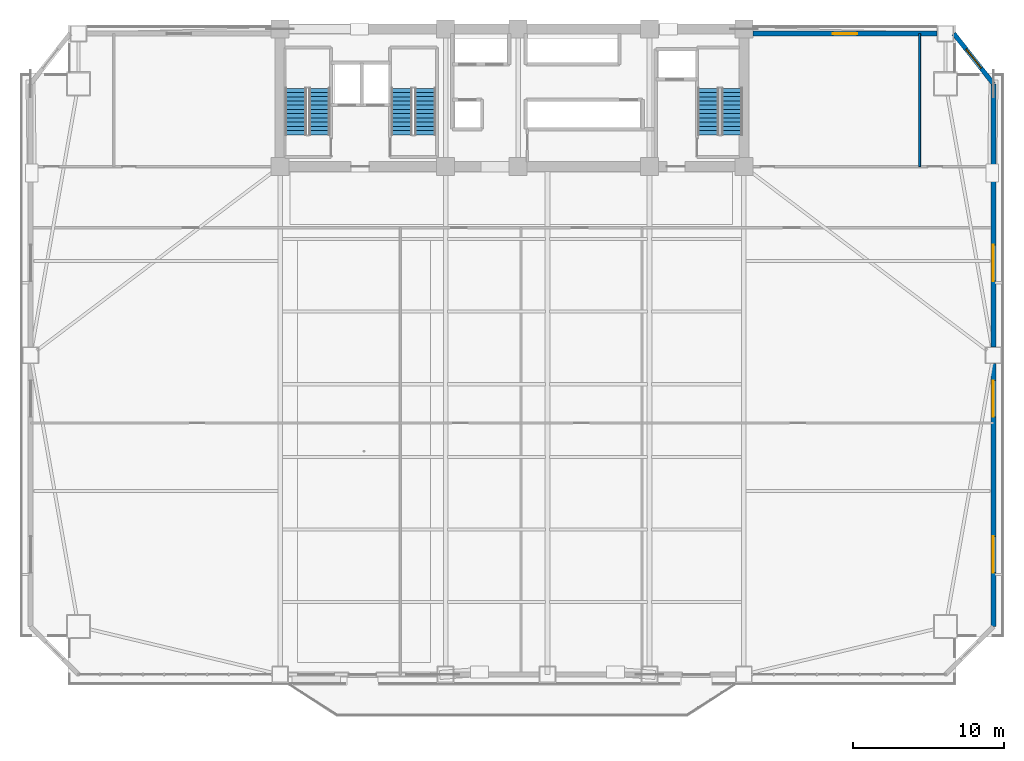
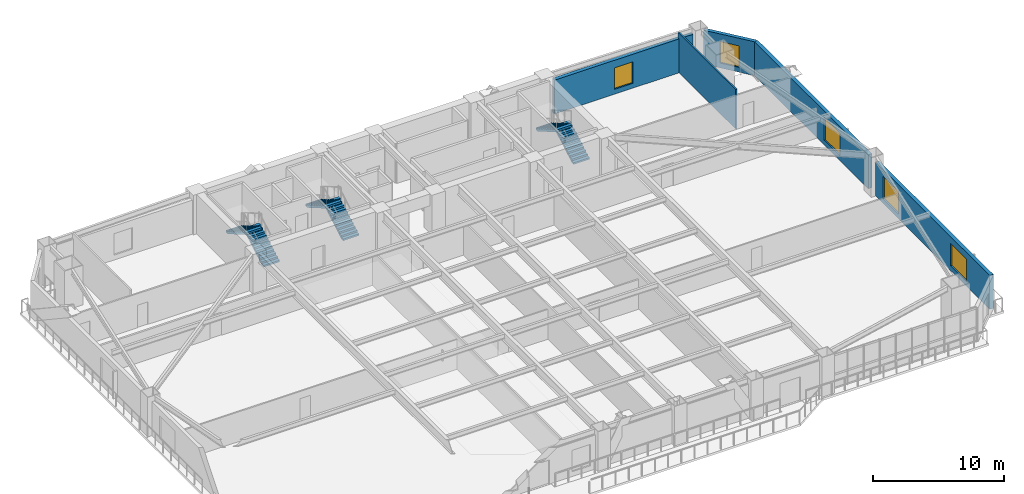
# One storey, part 11 of 17: 6 stair flights, 5 walls, 5 windows, 5 openings, 3 elements without a shape of their own.
"""IFC4 building model written with IfcOpenShell, lengths in metres."""

from ifc_helpers import new_model, si_unit, direction, frame, frame_2d, origin, place, context, subcontext, project, spatial, polyline, rectangle, outline, extrude, source, transform, mapped, material, layer, layer_set, type_object, element, fill, aggregate, save


model = new_model("IFC4")

# Units and contexts
model_context = context("Model", 3, precision=1e-05, world=origin(), true_north=direction((0.0, 1.0)))
body_context = subcontext(model_context, "Body", "Model", "MODEL_VIEW")
ifc_project = project(units=[si_unit("LENGTHUNIT", "METRE"), si_unit("AREAUNIT", "SQUARE_METRE"), si_unit("VOLUMEUNIT", "CUBIC_METRE"), si_unit("PLANEANGLEUNIT", "RADIAN"), si_unit("MASSUNIT", "GRAM", prefix="KILO")], contexts=[model_context])

# Site, building, storey
site_placement = place(None, origin())
site = spatial("IfcSite", under=ifc_project, at=site_placement, CompositionType="ELEMENT")
building_placement = place(site_placement, origin())
building = spatial("IfcBuilding", under=site, at=building_placement, Name="Giltprow Tower", CompositionType="ELEMENT")
storey_placement = place(building_placement, frame((0.0, 0.0, 37.10009765625)))
storey = spatial("IfcBuildingStorey", under=building, at=storey_placement, Name="L09", CompositionType="ELEMENT", Elevation=37.10009765625)

# Wall, opening, window
ifc_material_1 = material(Name="Precast concrete C40", Category="concrete")
ifc_layer_1 = layer(ifc_material_1, 0.300048828125, Name="Precast concrete C40")
ifc_layer_set_1 = layer_set([ifc_layer_1], Name="Precast concrete C40")
wall_type_1 = type_object("IfcWallType", Name="EW-NOTCH-CHAMFER-300", PredefinedType="SOLIDWALL", material=ifc_layer_set_1)
wall_1_placement = place(storey_placement, frame((67.06494140625, 42.926025390625, 0.0), z_axis=(0.0, 0.0, 1.0), x_axis=(-0.619619988795, 0.784901948963, 0.0)))
wall_1 = element("IfcWall", 1, at=wall_1_placement, inside=storey, type_object=wall_type_1, Name="L09 Corner Notch Wall NE", PredefinedType="SOLIDWALL", context=body_context, shape_type="SweptSolid", body=[
    extrude(rectangle(XDim=4.23486328125, YDim=0.300048828125, at=frame_2d((2.117431640625, 0.0))), origin(), (0.0, 0.0, 1.0), 3.159912109375),
])
opening_1_placement = place(wall_1_placement, frame((1.31689453125, 0.0, 0.449951171875)))
opening_1 = element("IfcOpeningElement", 2, at=opening_1_placement, cuts=wall_1, Name="Opening WN17", PredefinedType="OPENING", context=body_context, shape_type="SweptSolid", body=[
    extrude(rectangle(XDim=1.60009765625, YDim=2.0, at=frame_2d((0.800048828125, 1.0))), frame((0.0, 0.159912109375, 0.0), z_axis=(0.0, -1.0, 0.0), x_axis=(1.0, 0.0, 0.0)), (0.0, 0.0, 1.0), 0.320068359375),
])
ifc_material_2 = material(Name="Insulated glass", Category="glass")
window_type_1 = type_object("IfcWindowType", Name="WN-COR-1600x2000", PartitioningType="SINGLE_PANEL", PredefinedType="WINDOW", material=ifc_material_2)
shared_shape_1 = source(origin(), body_context, "Body", "SweptSolid", [
    extrude(rectangle(XDim=1.60009765625, YDim=2.0, at=frame_2d((0.800048828125, 1.0))), frame((0.0, 0.030029296875, 0.0), z_axis=(0.0, -1.0, 0.0), x_axis=(1.0, 0.0, 0.0)), (0.0, 0.0, 1.0), 0.06005859375),
])
window_1_placement = place(opening_1_placement, origin())
window_1 = element("IfcWindow", 3, at=window_1_placement, inside=storey, type_object=window_type_1, Name="L09 Corner Notch Window NE", OverallHeight=2.0, OverallWidth=1.60009765625, PartitioningType="SINGLE_PANEL", PredefinedType="WINDOW", context=body_context, shape_type="MappedRepresentation", body=[
    mapped(shared_shape_1, transform((0.0, 0.0, 0.0), x_axis=(1.0, 0.0, 0.0), y_axis=(0.0, 1.0, 0.0), z_axis=(0.0, 0.0, 1.0), scale=1.0)),
])
fill(opening_1, window_1)

# Wall, openings, windows
ifc_layer_2 = layer(ifc_material_1, 0.320068359375, Name="Precast concrete C40")
ifc_layer_set_2 = layer_set([ifc_layer_2], Name="Precast concrete C40")
wall_type_2 = type_object("IfcWallType", Name="EW-TOW-STONE-320", PredefinedType="SOLIDWALL", material=ifc_layer_set_2)
wall_2_placement = place(storey_placement, frame((67.06494140625, 7.0009765625, 0.0), z_axis=(0.0, 0.0, 1.0), x_axis=(0.0, 1.0, 0.0)))
wall_2 = element("IfcWall", 4, at=wall_2_placement, inside=storey, type_object=wall_type_2, Name="L09 E Wing Masonry Wall 1", PredefinedType="SOLIDWALL", context=body_context, shape_type="SweptSolid", body=[
    extrude(rectangle(XDim=17.412109375, YDim=0.320068359375, at=frame_2d((8.7060546875, 0.0))), origin(), (0.0, 0.0, 1.0), 3.159912109375),
])
opening_2_placement = place(wall_2_placement, frame((3.56689453125, 0.0, 0.449951171875)))
opening_2 = element("IfcOpeningElement", 5, at=opening_2_placement, cuts=wall_2, Name="Opening WN29", PredefinedType="OPENING", context=body_context, shape_type="SweptSolid", body=[
    extrude(rectangle(XDim=2.39990234375, YDim=2.10009765625, at=frame_2d((1.199951171875, 1.050048828125))), frame((0.0, 0.169921875, 0.0), z_axis=(0.0, -1.0, 0.0), x_axis=(1.0, 0.0, 0.0)), (0.0, 0.0, 1.0), 0.340087890625),
])
opening_3_placement = place(wall_2_placement, frame((13.875, 0.0, 0.449951171875)))
opening_3 = element("IfcOpeningElement", 6, at=opening_3_placement, cuts=wall_2, Name="Opening WN29", PredefinedType="OPENING", context=body_context, shape_type="SweptSolid", body=[
    extrude(rectangle(XDim=2.39990234375, YDim=2.10009765625, at=frame_2d((1.199951171875, 1.050048828125))), frame((0.0, 0.169921875, 0.0), z_axis=(0.0, -1.0, 0.0), x_axis=(1.0, 0.0, 0.0)), (0.0, 0.0, 1.0), 0.340087890625),
])
window_type_2 = type_object("IfcWindowType", Name="WN-OFF-2400x2100", PartitioningType="DOUBLE_PANEL_VERTICAL", PredefinedType="WINDOW", material=ifc_material_2)
shared_shape_2 = source(origin(), body_context, "Body", "SweptSolid", [
    extrude(rectangle(XDim=2.39990234375, YDim=2.10009765625, at=frame_2d((1.199951171875, 1.050048828125))), frame((0.0, 0.030029296875, 0.0), z_axis=(0.0, -1.0, 0.0), x_axis=(1.0, 0.0, 0.0)), (0.0, 0.0, 1.0), 0.06005859375),
])
window_2_placement = place(opening_2_placement, origin())
window_2 = element("IfcWindow", 7, at=window_2_placement, inside=storey, type_object=window_type_2, Name="L09 E Wing Window 1-1A", OverallHeight=2.10009765625, OverallWidth=2.39990234375, PartitioningType="SINGLE_PANEL", PredefinedType="WINDOW", context=body_context, shape_type="MappedRepresentation", body=[
    mapped(shared_shape_2, transform((0.0, 0.0, 0.0), x_axis=(1.0, 0.0, 0.0), y_axis=(0.0, 1.0, 0.0), z_axis=(0.0, 0.0, 1.0), scale=1.0)),
])
fill(opening_2, window_2)
window_3_placement = place(opening_3_placement, origin())
window_3 = element("IfcWindow", 8, at=window_3_placement, inside=storey, type_object=window_type_2, Name="L09 E Wing Window 1-1B", OverallHeight=2.10009765625, OverallWidth=2.39990234375, PartitioningType="SINGLE_PANEL", PredefinedType="WINDOW", context=body_context, shape_type="MappedRepresentation", body=[
    mapped(shared_shape_2, transform((0.0, 0.0, 0.0), x_axis=(1.0, 0.0, 0.0), y_axis=(0.0, 1.0, 0.0), z_axis=(0.0, 0.0, 1.0), scale=1.0)),
])
fill(opening_3, window_3)

# Wall, opening, window
wall_3_placement = place(storey_placement, frame((67.06494140625, 25.512939453125, 0.0), z_axis=(0.0, 0.0, 1.0), x_axis=(0.0, 1.0, 0.0)))
wall_3 = element("IfcWall", 9, at=wall_3_placement, inside=storey, type_object=wall_type_2, Name="L09 E Wing Masonry Wall 2", PredefinedType="SOLIDWALL", context=body_context, shape_type="SweptSolid", body=[
    extrude(rectangle(XDim=17.4130859375, YDim=0.320068359375, at=frame_2d((8.70654296875, 0.0))), origin(), (0.0, 0.0, 1.0), 3.159912109375),
])
opening_4_placement = place(wall_3_placement, frame((4.35595703125, 0.0, 0.449951171875)))
opening_4 = element("IfcOpeningElement", 10, at=opening_4_placement, cuts=wall_3, Name="Opening WN29", PredefinedType="OPENING", context=body_context, shape_type="SweptSolid", body=[
    extrude(rectangle(XDim=2.39990234375, YDim=2.10009765625, at=frame_2d((1.199951171875, 1.050048828125))), frame((0.0, 0.169921875, 0.0), z_axis=(0.0, -1.0, 0.0), x_axis=(1.0, 0.0, 0.0)), (0.0, 0.0, 1.0), 0.340087890625),
])
window_4_placement = place(opening_4_placement, origin())
window_4 = element("IfcWindow", 11, at=window_4_placement, inside=storey, type_object=window_type_2, Name="L09 E Wing Window 2-1", OverallHeight=2.10009765625, OverallWidth=2.39990234375, PartitioningType="SINGLE_PANEL", PredefinedType="WINDOW", context=body_context, shape_type="MappedRepresentation", body=[
    mapped(shared_shape_2, transform((0.0, 0.0, 0.0), x_axis=(1.0, 0.0, 0.0), y_axis=(0.0, 1.0, 0.0), z_axis=(0.0, 0.0, 1.0), scale=1.0)),
])
fill(opening_4, window_4)

wall_4_placement = place(storey_placement, frame((51.14990234375, 46.25, 0.0), z_axis=(0.0, 0.0, 1.0), x_axis=(1.0, 0.0, 0.0)))
wall_4 = element("IfcWall", 12, at=wall_4_placement, inside=storey, type_object=wall_type_2, Name="L09 North-East Wing Wall", PredefinedType="SOLIDWALL", context=body_context, shape_type="SweptSolid", body=[
    extrude(rectangle(XDim=12.191162109375, YDim=0.320068359375, at=frame_2d((6.095703125, 0.0))), origin(), (0.0, 0.0, 1.0), 3.159912109375),
])
opening_5_placement = place(wall_4_placement, frame((5.2958984375, 0.0, 0.449951171875)))
opening_5 = element("IfcOpeningElement", 13, at=opening_5_placement, cuts=wall_4, Name="Opening WN17", PredefinedType="OPENING", context=body_context, shape_type="SweptSolid", body=[
    extrude(rectangle(XDim=1.60009765625, YDim=2.0, at=frame_2d((0.800048828125, 1.0))), frame((0.0, 0.169921875, 0.0), z_axis=(0.0, -1.0, 0.0), x_axis=(1.0, 0.0, 0.0)), (0.0, 0.0, 1.0), 0.340087890625),
])
window_5_placement = place(opening_5_placement, origin())
window_5 = element("IfcWindow", 14, at=window_5_placement, inside=storey, type_object=window_type_1, Name="L09 North-East Window", OverallHeight=2.0, OverallWidth=1.60009765625, PartitioningType="SINGLE_PANEL", PredefinedType="WINDOW", context=body_context, shape_type="MappedRepresentation", body=[
    mapped(shared_shape_1, transform((0.0, 0.0, 0.0), x_axis=(1.0, 0.0, 0.0), y_axis=(0.0, 1.0, 0.0), z_axis=(0.0, 0.0, 1.0), scale=1.0)),
])
fill(opening_5, window_5)

# Wall
ifc_material_3 = material(Name="Concrete C30", Category="concrete")
ifc_layer_3 = layer(ifc_material_3, 0.1298828125, Name="Concrete C30")
ifc_layer_set_3 = layer_set([ifc_layer_3], Name="Concrete C30")
wall_type_3 = type_object("IfcWallType", Name="IW-WET-130", PredefinedType="PARTITIONING", material=ifc_layer_set_3)
wall_5_placement = place(storey_placement, frame((62.179931640625, 37.449951171875, 0.0), z_axis=(0.0, 0.0, 1.0), x_axis=(0.0, 1.0, 0.0)))
element("IfcWall", 15, at=wall_5_placement, inside=storey, type_object=wall_type_3, Name="L09 NE Wing Divider", PredefinedType="PARTITIONING", context=body_context, shape_type="SweptSolid", body=[
    extrude(rectangle(XDim=8.800048828125, YDim=0.1298828125, at=frame_2d((4.39990234375, 0.0))), origin(), (0.0, 0.0, 1.0), 3.679931640625),
])

# Stair, stair flights
ifc_material_4 = material(Name="Concrete C40", Category="concrete")
stair_type_1 = type_object("IfcStairType", Name="STR-ST-1", PredefinedType="HALF_TURN_STAIR", material=ifc_material_4)
stair_1_placement = place(storey_placement, origin())
stair_1 = element("IfcStair", 16, at=stair_1_placement, inside=storey, type_object=stair_type_1, Name="L09 Core Exit Stair ST-1", PredefinedType="HALF_TURN_STAIR")
stair_flight_type_1 = type_object("IfcStairFlightType", Name="SFL-ST-1", PredefinedType="STRAIGHT", material=ifc_material_4)
stair_flight_1_placement = place(storey_placement, frame((22.4599609375, 39.550048828125, 0.0), z_axis=(0.0, 0.0, 1.0), x_axis=(0.0, 1.0, 0.0)))
stair_flight_1 = element("IfcStairFlight", 17, at=stair_flight_1_placement, type_object=stair_flight_type_1, Name="ST-1 flight 1", NumberOfRisers=12, NumberOfTreads=11, PredefinedType="STRAIGHT", RiserHeight=0.1625, TreadLength=0.28, context=body_context, shape_type="SweptSolid", body=[
    extrude(outline(polyline([(0.0, 0.0), (0.0, 0.16259765625), (0.280029296875, 0.16259765625), (0.280029296875, 0.324951171875), (0.56005859375, 0.324951171875), (0.56005859375, 0.487548828125), (0.840087890625, 0.487548828125), (0.840087890625, 0.64990234375), (1.1201171875, 0.64990234375), (1.1201171875, 0.8125), (1.39990234375, 0.8125), (1.39990234375, 0.97509765625), (1.679931640625, 0.97509765625), (1.679931640625, 1.137451171875), (1.9599609375, 1.137451171875), (1.9599609375, 1.300048828125), (2.239990234375, 1.300048828125), (2.239990234375, 1.46240234375), (2.52001953125, 1.46240234375), (2.52001953125, 1.625), (2.800048828125, 1.625), (2.800048828125, 1.78759765625), (3.080078125, 1.78759765625), (3.080078125, 1.949951171875), (3.080078125, 1.6142578125), (0.298583984375, 0.0), (0.0, 0.0)])), frame((0.0, 0.699951171875, 0.0), z_axis=(0.0, -1.0, 0.0), x_axis=(1.0, 0.0, 0.0)), (0.0, 0.0, 1.0), 1.39990234375),
])
stair_flight_2_placement = place(storey_placement, frame((20.89990234375, 42.6298828125, 1.949951171875), z_axis=(0.0, 0.0, 1.0), x_axis=(0.0, -1.0, 0.0)))
stair_flight_2 = element("IfcStairFlight", 18, at=stair_flight_2_placement, type_object=stair_flight_type_1, Name="ST-1 flight 2", NumberOfRisers=12, NumberOfTreads=11, PredefinedType="STRAIGHT", RiserHeight=0.1625, TreadLength=0.28, context=body_context, shape_type="SweptSolid", body=[
    extrude(outline(polyline([(0.0, 0.0), (0.0, 0.16259765625), (0.280029296875, 0.16259765625), (0.280029296875, 0.324951171875), (0.56005859375, 0.324951171875), (0.56005859375, 0.487548828125), (0.840087890625, 0.487548828125), (0.840087890625, 0.64990234375), (1.1201171875, 0.64990234375), (1.1201171875, 0.8125), (1.39990234375, 0.8125), (1.39990234375, 0.97509765625), (1.679931640625, 0.97509765625), (1.679931640625, 1.137451171875), (1.9599609375, 1.137451171875), (1.9599609375, 1.300048828125), (2.239990234375, 1.300048828125), (2.239990234375, 1.46240234375), (2.52001953125, 1.46240234375), (2.52001953125, 1.625), (2.800048828125, 1.625), (2.800048828125, 1.78759765625), (3.080078125, 1.78759765625), (3.080078125, 1.949951171875), (3.080078125, 1.6142578125), (0.298583984375, 0.0), (0.0, 0.0)])), frame((0.0, 0.699951171875, 0.0), z_axis=(0.0, -1.0, 0.0), x_axis=(1.0, 0.0, 0.0)), (0.0, 0.0, 1.0), 1.39990234375),
])
aggregate(stair_1, [stair_flight_1, stair_flight_2])

stair_type_2 = type_object("IfcStairType", Name="STR-ST-2", PredefinedType="HALF_TURN_STAIR", material=ifc_material_4)
stair_2_placement = place(storey_placement, origin())
stair_2 = element("IfcStair", 19, at=stair_2_placement, inside=storey, type_object=stair_type_2, Name="L09 Core Exit Stair ST-2", PredefinedType="HALF_TURN_STAIR")
stair_flight_type_2 = type_object("IfcStairFlightType", Name="SFL-ST-2", PredefinedType="STRAIGHT", material=ifc_material_4)
stair_flight_3_placement = place(storey_placement, frame((29.4599609375, 39.550048828125, 0.0), z_axis=(0.0, 0.0, 1.0), x_axis=(0.0, 1.0, 0.0)))
stair_flight_3 = element("IfcStairFlight", 20, at=stair_flight_3_placement, type_object=stair_flight_type_2, Name="ST-2 flight 1", NumberOfRisers=12, NumberOfTreads=11, PredefinedType="STRAIGHT", RiserHeight=0.1625, TreadLength=0.28, context=body_context, shape_type="SweptSolid", body=[
    extrude(outline(polyline([(0.0, 0.0), (0.0, 0.16259765625), (0.280029296875, 0.16259765625), (0.280029296875, 0.324951171875), (0.56005859375, 0.324951171875), (0.56005859375, 0.487548828125), (0.840087890625, 0.487548828125), (0.840087890625, 0.64990234375), (1.1201171875, 0.64990234375), (1.1201171875, 0.8125), (1.39990234375, 0.8125), (1.39990234375, 0.97509765625), (1.679931640625, 0.97509765625), (1.679931640625, 1.137451171875), (1.9599609375, 1.137451171875), (1.9599609375, 1.300048828125), (2.239990234375, 1.300048828125), (2.239990234375, 1.46240234375), (2.52001953125, 1.46240234375), (2.52001953125, 1.625), (2.800048828125, 1.625), (2.800048828125, 1.78759765625), (3.080078125, 1.78759765625), (3.080078125, 1.949951171875), (3.080078125, 1.6142578125), (0.298583984375, 0.0), (0.0, 0.0)])), frame((0.0, 0.699951171875, 0.0), z_axis=(0.0, -1.0, 0.0), x_axis=(1.0, 0.0, 0.0)), (0.0, 0.0, 1.0), 1.39990234375),
])
stair_flight_4_placement = place(storey_placement, frame((27.89990234375, 42.6298828125, 1.949951171875), z_axis=(0.0, 0.0, 1.0), x_axis=(0.0, -1.0, 0.0)))
stair_flight_4 = element("IfcStairFlight", 21, at=stair_flight_4_placement, type_object=stair_flight_type_2, Name="ST-2 flight 2", NumberOfRisers=12, NumberOfTreads=11, PredefinedType="STRAIGHT", RiserHeight=0.1625, TreadLength=0.28, context=body_context, shape_type="SweptSolid", body=[
    extrude(outline(polyline([(0.0, 0.0), (0.0, 0.16259765625), (0.280029296875, 0.16259765625), (0.280029296875, 0.324951171875), (0.56005859375, 0.324951171875), (0.56005859375, 0.487548828125), (0.840087890625, 0.487548828125), (0.840087890625, 0.64990234375), (1.1201171875, 0.64990234375), (1.1201171875, 0.8125), (1.39990234375, 0.8125), (1.39990234375, 0.97509765625), (1.679931640625, 0.97509765625), (1.679931640625, 1.137451171875), (1.9599609375, 1.137451171875), (1.9599609375, 1.300048828125), (2.239990234375, 1.300048828125), (2.239990234375, 1.46240234375), (2.52001953125, 1.46240234375), (2.52001953125, 1.625), (2.800048828125, 1.625), (2.800048828125, 1.78759765625), (3.080078125, 1.78759765625), (3.080078125, 1.949951171875), (3.080078125, 1.6142578125), (0.298583984375, 0.0), (0.0, 0.0)])), frame((0.0, 0.699951171875, 0.0), z_axis=(0.0, -1.0, 0.0), x_axis=(1.0, 0.0, 0.0)), (0.0, 0.0, 1.0), 1.39990234375),
])
aggregate(stair_2, [stair_flight_3, stair_flight_4])

stair_type_3 = type_object("IfcStairType", Name="STR-ST-3", PredefinedType="HALF_TURN_STAIR", material=ifc_material_4)
stair_3_placement = place(storey_placement, origin())
stair_3 = element("IfcStair", 22, at=stair_3_placement, inside=storey, type_object=stair_type_3, Name="L09 Core Exit Stair ST-3", PredefinedType="HALF_TURN_STAIR")
stair_flight_type_3 = type_object("IfcStairFlightType", Name="SFL-ST-3", PredefinedType="STRAIGHT", material=ifc_material_4)
stair_flight_5_placement = place(storey_placement, frame((49.760009765625, 39.550048828125, 0.0), z_axis=(0.0, 0.0, 1.0), x_axis=(0.0, 1.0, 0.0)))
stair_flight_5 = element("IfcStairFlight", 23, at=stair_flight_5_placement, type_object=stair_flight_type_3, Name="ST-3 flight 1", NumberOfRisers=12, NumberOfTreads=11, PredefinedType="STRAIGHT", RiserHeight=0.1625, TreadLength=0.28, context=body_context, shape_type="SweptSolid", body=[
    extrude(outline(polyline([(0.0, 0.0), (0.0, 0.16259765625), (0.280029296875, 0.16259765625), (0.280029296875, 0.324951171875), (0.56005859375, 0.324951171875), (0.56005859375, 0.487548828125), (0.840087890625, 0.487548828125), (0.840087890625, 0.64990234375), (1.1201171875, 0.64990234375), (1.1201171875, 0.8125), (1.39990234375, 0.8125), (1.39990234375, 0.97509765625), (1.679931640625, 0.97509765625), (1.679931640625, 1.137451171875), (1.9599609375, 1.137451171875), (1.9599609375, 1.300048828125), (2.239990234375, 1.300048828125), (2.239990234375, 1.46240234375), (2.52001953125, 1.46240234375), (2.52001953125, 1.625), (2.800048828125, 1.625), (2.800048828125, 1.78759765625), (3.080078125, 1.78759765625), (3.080078125, 1.949951171875), (3.080078125, 1.6142578125), (0.298583984375, 0.0), (0.0, 0.0)])), frame((0.0, 0.699951171875, 0.0), z_axis=(0.0, -1.0, 0.0), x_axis=(1.0, 0.0, 0.0)), (0.0, 0.0, 1.0), 1.39990234375),
])
stair_flight_6_placement = place(storey_placement, frame((48.199951171875, 42.6298828125, 1.949951171875), z_axis=(0.0, 0.0, 1.0), x_axis=(0.0, -1.0, 0.0)))
stair_flight_6 = element("IfcStairFlight", 24, at=stair_flight_6_placement, type_object=stair_flight_type_3, Name="ST-3 flight 2", NumberOfRisers=12, NumberOfTreads=11, PredefinedType="STRAIGHT", RiserHeight=0.1625, TreadLength=0.28, context=body_context, shape_type="SweptSolid", body=[
    extrude(outline(polyline([(0.0, 0.0), (0.0, 0.16259765625), (0.280029296875, 0.16259765625), (0.280029296875, 0.324951171875), (0.56005859375, 0.324951171875), (0.56005859375, 0.487548828125), (0.840087890625, 0.487548828125), (0.840087890625, 0.64990234375), (1.1201171875, 0.64990234375), (1.1201171875, 0.8125), (1.39990234375, 0.8125), (1.39990234375, 0.97509765625), (1.679931640625, 0.97509765625), (1.679931640625, 1.137451171875), (1.9599609375, 1.137451171875), (1.9599609375, 1.300048828125), (2.239990234375, 1.300048828125), (2.239990234375, 1.46240234375), (2.52001953125, 1.46240234375), (2.52001953125, 1.625), (2.800048828125, 1.625), (2.800048828125, 1.78759765625), (3.080078125, 1.78759765625), (3.080078125, 1.949951171875), (3.080078125, 1.6142578125), (0.298583984375, 0.0), (0.0, 0.0)])), frame((0.0, 0.699951171875, 0.0), z_axis=(0.0, -1.0, 0.0), x_axis=(1.0, 0.0, 0.0)), (0.0, 0.0, 1.0), 1.39990234375),
])
aggregate(stair_3, [stair_flight_5, stair_flight_6])

save(model, "model.ifc")
